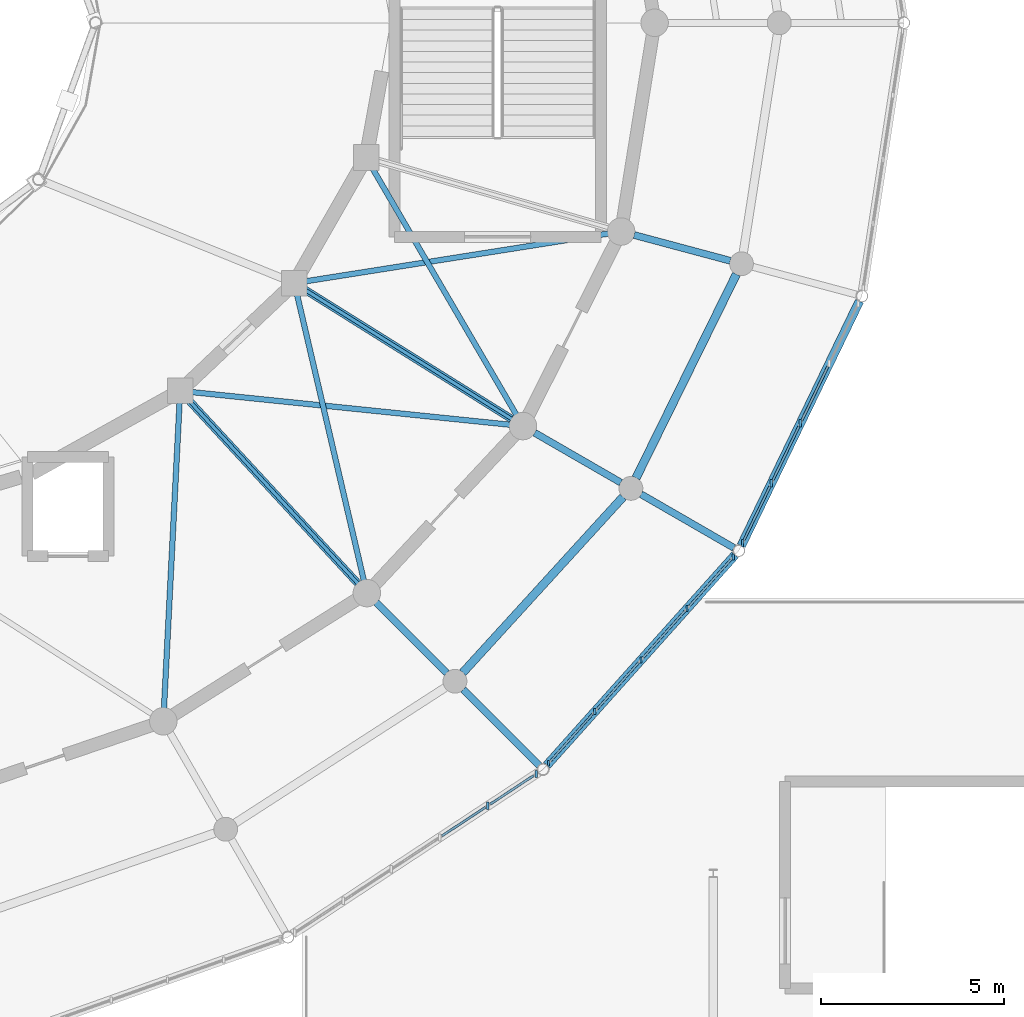
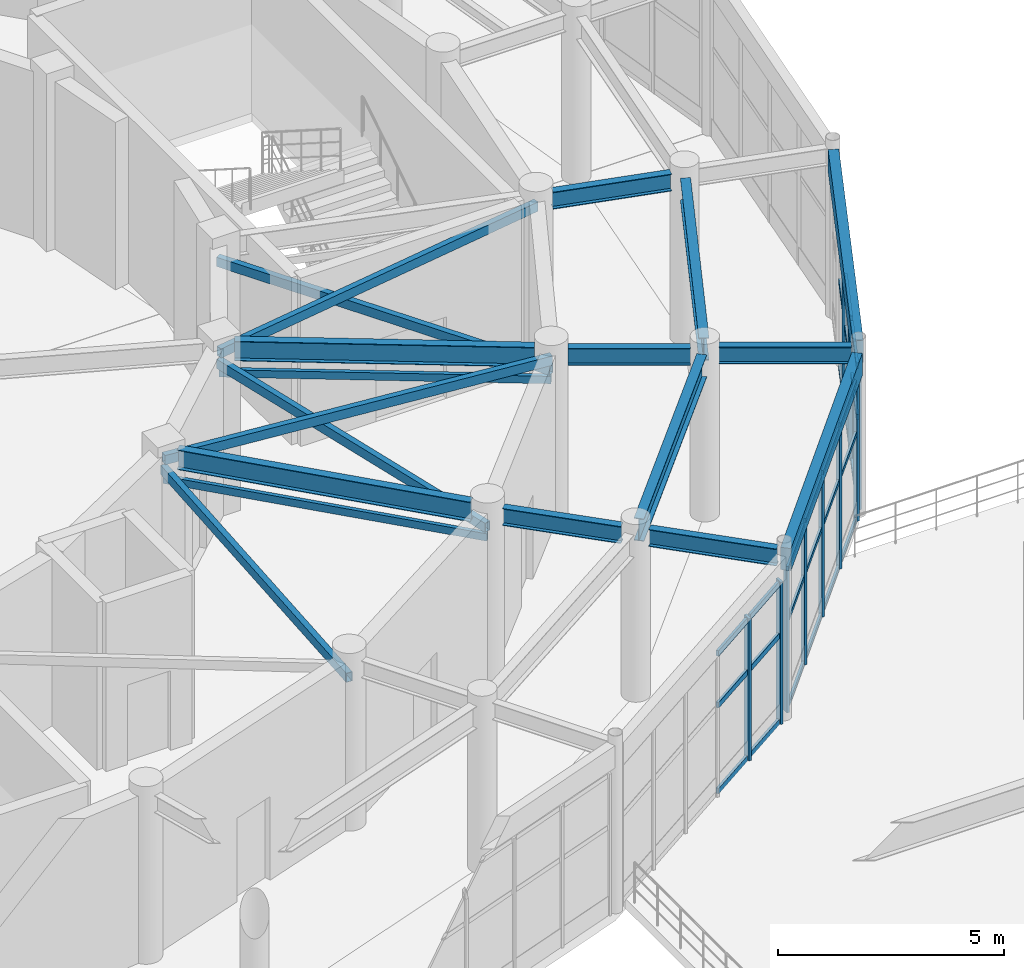
# One storey, part 71 of 144: 43 members, 11 beams, 3 elements without a shape of their own.
"""IFC4 building model written with IfcOpenShell, lengths in metres."""

from ifc_helpers import new_model, si_unit, direction, frame, origin, origin_2d, place, context, subcontext, project, spatial, rectangle, hollow_rectangle, i_section, extrude, material, material_profile, profile_set, type_object, element, aggregate, save


model = new_model("IFC4")

# Units and contexts
model_context = context("Model", 3, precision=1e-05, world=origin(), true_north=direction((0.0, 1.0)))
body_context = subcontext(model_context, "Body", "Model", "MODEL_VIEW")
ifc_project = project(units=[si_unit("LENGTHUNIT", "METRE"), si_unit("AREAUNIT", "SQUARE_METRE"), si_unit("VOLUMEUNIT", "CUBIC_METRE"), si_unit("PLANEANGLEUNIT", "RADIAN"), si_unit("MASSUNIT", "GRAM", prefix="KILO")], contexts=[model_context])

# Site, building, storey
site_placement = place(None, origin())
site = spatial("IfcSite", under=ifc_project, at=site_placement, CompositionType="ELEMENT")
building_placement = place(site_placement, origin())
building = spatial("IfcBuilding", under=site, at=building_placement, Name="Cinderbank Siding Concert Hall", CompositionType="ELEMENT")
storey_placement = place(building_placement, frame((0.0, 0.0, 5.39990234375)))
storey = spatial("IfcBuildingStorey", under=building, at=storey_placement, Name="L02", CompositionType="ELEMENT", Elevation=5.39990234375)

# Beams
ifc_material_1 = material(Name="Structural steel AS/NZS 3679.1 Grade 350 (340 MPa)", Category="steel")
ifc_material_profile_1 = material_profile(ifc_material_1, i_section(OverallWidth=0.19091796875, OverallDepth=0.46044921875, WebThickness=0.010009765625, FlangeThickness=0.01611328125, at=origin_2d()), Name="460UB82.1", Category="LoadBearing")
ifc_profile_set_1 = profile_set([ifc_material_profile_1], Name="Structural steel AS/NZS 3679.1 Grade 350 (340 MPa)")
beam_type_1 = type_object("IfcBeamType", Name="BM-UB460H 460UB82.1", PredefinedType="BEAM", material=ifc_profile_set_1)
beam_1_placement = place(storey_placement, frame((141.2099609375, 28.18408203125, 4.2919921875), z_axis=(0.707151723938, -0.707061835578, 0.0), x_axis=(0.707061835578, 0.707151723938, 0.0)))
element("IfcBeam", 1, at=beam_1_placement, inside=storey, type_object=beam_type_1, Name="L02 Beam BM-UB460H #517", PredefinedType="BEAM", context=body_context, shape_type="SweptSolid", body=[
    extrude(i_section(OverallWidth=0.19091796875, OverallDepth=0.46044921875, WebThickness=0.010009765625, FlangeThickness=0.01611328125, at=origin_2d()), origin(), (0.0, 0.0, 1.0), 2.716064453125),
])
beam_2_placement = place(storey_placement, frame((145.52734375, 32.81640625, 4.2919921875), z_axis=(0.866032896488, -0.499987022033, 0.0), x_axis=(0.499987022033, 0.866032896488, 0.0)))
element("IfcBeam", 2, at=beam_2_placement, inside=storey, type_object=beam_type_1, Name="L02 Beam BM-UB460H #518", PredefinedType="BEAM", context=body_context, shape_type="SweptSolid", body=[
    extrude(i_section(OverallWidth=0.19091796875, OverallDepth=0.46044921875, WebThickness=0.010009765625, FlangeThickness=0.01611328125, at=origin_2d()), origin(), (0.0, 0.0, 1.0), 2.7158203125),
])
beam_3_placement = place(storey_placement, frame((148.2412109375, 38.2109375, 4.2919921875), z_axis=(0.965934410535, -0.258787006135, 0.0), x_axis=(0.258787006135, 0.965934410535, 0.0)))
element("IfcBeam", 3, at=beam_3_placement, inside=storey, type_object=beam_type_1, Name="L02 Beam BM-UB460H #519", PredefinedType="BEAM", context=body_context, shape_type="SweptSolid", body=[
    extrude(i_section(OverallWidth=0.19091796875, OverallDepth=0.46044921875, WebThickness=0.010009765625, FlangeThickness=0.01611328125, at=origin_2d()), origin(), (0.0, 0.0, 1.0), 2.716064453125),
])
beam_4_placement = place(storey_placement, frame((143.578857421875, 25.815185546875, 4.331787109375), z_axis=(0.707106781187, -0.707106781187, 0.0), x_axis=(0.707106781187, 0.707106781187, 0.0)))
element("IfcBeam", 4, at=beam_4_placement, inside=storey, type_object=beam_type_1, Name="L02 Beam BM-UB460H #542", PredefinedType="BEAM", context=body_context, shape_type="SweptSolid", body=[
    extrude(i_section(OverallWidth=0.19091796875, OverallDepth=0.46044921875, WebThickness=0.010009765625, FlangeThickness=0.01611328125, at=origin_2d()), origin(), (0.0, 0.0, 1.0), 2.928955078125),
])
beam_5_placement = place(storey_placement, frame((148.428466796875, 31.1416015625, 4.331787109375), z_axis=(0.866013467834, -0.500020673103, 0.0), x_axis=(0.500020673103, 0.866013467834, 0.0)))
element("IfcBeam", 5, at=beam_5_placement, inside=storey, type_object=beam_type_1, Name="L02 Beam BM-UB460H #543", PredefinedType="BEAM", context=body_context, shape_type="SweptSolid", body=[
    extrude(i_section(OverallWidth=0.19091796875, OverallDepth=0.46044921875, WebThickness=0.010009765625, FlangeThickness=0.01611328125, at=origin_2d()), origin(), (0.0, 0.0, 1.0), 2.92919921875),
])
ifc_material_profile_2 = material_profile(ifc_material_1, i_section(OverallWidth=0.208984375, OverallDepth=0.532958984375, WebThickness=0.01025390625, FlangeThickness=0.015625, at=origin_2d()), Name="530UB92.4", Category="LoadBearing")
ifc_profile_set_2 = profile_set([ifc_material_profile_2], Name="Structural steel AS/NZS 3679.1 Grade 350 (340 MPa)")
beam_type_2 = type_object("IfcBeamType", Name="BM-UB530H 530UB92.4", PredefinedType="BEAM", material=ifc_profile_set_2)
beam_6_placement = place(storey_placement, frame((136.09130859375, 33.707763671875, 4.28564453125), z_axis=(0.67829203735, -0.734792427879, 0.0), x_axis=(0.734792427879, 0.67829203735, 0.0)))
element("IfcBeam", 6, at=beam_6_placement, inside=storey, type_object=beam_type_2, Name="L02 Beam BM-UB530H #494", PredefinedType="BEAM", context=body_context, shape_type="SweptSolid", body=[
    extrude(i_section(OverallWidth=0.208984375, OverallDepth=0.532958984375, WebThickness=0.01025390625, FlangeThickness=0.015625, at=origin_2d()), origin(), (0.0, 0.0, 1.0), 6.797119140625),
])
beam_7_placement = place(storey_placement, frame((139.26416015625, 36.718505859375, 4.28564453125), z_axis=(0.84781868984, -0.530286214376, 0.0), x_axis=(0.530286214376, 0.84781868984, 0.0)))
element("IfcBeam", 7, at=beam_7_placement, inside=storey, type_object=beam_type_2, Name="L02 Beam BM-UB530H #495", PredefinedType="BEAM", context=body_context, shape_type="SweptSolid", body=[
    extrude(i_section(OverallWidth=0.208984375, OverallDepth=0.532958984375, WebThickness=0.01025390625, FlangeThickness=0.015625, at=origin_2d()), origin(), (0.0, 0.0, 1.0), 6.645263671875),
])
ifc_material_profile_3 = material_profile(ifc_material_1, i_section(OverallWidth=0.22802734375, OverallDepth=0.60693359375, WebThickness=0.01123046875, FlangeThickness=0.017333984375, at=origin_2d()), Name="610UB113", Category="LoadBearing")
ifc_profile_set_3 = profile_set([ifc_material_profile_3], Name="Structural steel AS/NZS 3679.1 Grade 350 (340 MPa)")
beam_type_3 = type_object("IfcBeamType", Name="BM-UB610M 610UB113", PredefinedType="BEAM", material=ifc_profile_set_3)
beam_8_placement = place(storey_placement, frame((143.568359375, 26.273681640625, 4.218505859375), z_axis=(0.67395874418, 0.73876898361, 0.0), x_axis=(-0.73876898361, 0.67395874418, 0.0)))
element("IfcBeam", 8, at=beam_8_placement, inside=storey, type_object=beam_type_3, Name="L02 Beam BM-UB610M #461", PredefinedType="BEAM", context=body_context, shape_type="SweptSolid", body=[
    extrude(i_section(OverallWidth=0.22802734375, OverallDepth=0.60693359375, WebThickness=0.01123046875, FlangeThickness=0.017333984375, at=origin_2d()), origin(), (0.0, 0.0, 1.0), 6.48681640625),
])
beam_9_placement = place(storey_placement, frame((148.294189453125, 31.58447265625, 4.218505859375), z_axis=(0.441813843649, 0.897106753714, 0.0), x_axis=(-0.897106753714, 0.441813843649, 0.0)))
element("IfcBeam", 9, at=beam_9_placement, inside=storey, type_object=beam_type_3, Name="L02 Beam BM-UB610M #462", PredefinedType="BEAM", context=body_context, shape_type="SweptSolid", body=[
    extrude(i_section(OverallWidth=0.22802734375, OverallDepth=0.60693359375, WebThickness=0.01123046875, FlangeThickness=0.017333984375, at=origin_2d()), origin(), (0.0, 0.0, 1.0), 6.194580078125),
])

# Curtain wall, members
ifc_material_2 = material(Name="Anodised aluminium alloy 6063-T6", Category="aluminium")
curtain_wall_type_1 = type_object("IfcCurtainWallType", Name="CW-10 Unitised Acoustic Curtain Wall 7200x3500", PredefinedType="NOTDEFINED", material=ifc_material_2)
curtain_wall_1_placement = place(storey_placement, origin())
curtain_wall_1 = element("IfcCurtainWall", 10, at=curtain_wall_1_placement, inside=storey, type_object=curtain_wall_type_1, Name="L02 Curtain Wall CW-10 #22", PredefinedType="NOTDEFINED")
ifc_material_profile_4 = material_profile(ifc_material_2, rectangle(XDim=0.06005859375, YDim=0.159912109375, at=origin_2d()), Name="ALU-MULL-60x160", Category="LoadBearing")
ifc_profile_set_4 = profile_set([ifc_material_profile_4], Name="Anodised aluminium alloy 6063-T6")
member_type_1 = type_object("IfcMemberType", Name="CW-ML1 Mullion 60x160", PredefinedType="MULLION", material=ifc_profile_set_4)
member_1_placement = place(storey_placement, frame((145.91015625, 23.804443359375, 0.0), z_axis=(0.0, 0.0, 1.0), x_axis=(1.0, 0.0, 0.0)))
member_1 = element("IfcMember", 11, at=member_1_placement, type_object=member_type_1, Name="CW-L02-022 Mullion 0", PredefinedType="MULLION", context=body_context, shape_type="SweptSolid", body=[
    extrude(rectangle(XDim=0.06005859375, YDim=0.159912109375, at=origin_2d()), origin(), (0.0, 0.0, 1.0), 3.837158203125),
])
member_2_placement = place(storey_placement, frame((147.16943359375, 25.2109375, 0.0), z_axis=(0.0, 0.0, 1.0), x_axis=(1.0, 0.0, 0.0)))
member_2 = element("IfcMember", 12, at=member_2_placement, type_object=member_type_1, Name="CW-L02-022 Mullion 1", PredefinedType="MULLION", context=body_context, shape_type="SweptSolid", body=[
    extrude(rectangle(XDim=0.06005859375, YDim=0.159912109375, at=origin_2d()), origin(), (0.0, 0.0, 1.0), 3.837158203125),
])
member_3_placement = place(storey_placement, frame((148.4287109375, 26.61767578125, 0.0), z_axis=(0.0, 0.0, 1.0), x_axis=(1.0, 0.0, 0.0)))
member_3 = element("IfcMember", 13, at=member_3_placement, type_object=member_type_1, Name="CW-L02-022 Mullion 2", PredefinedType="MULLION", context=body_context, shape_type="SweptSolid", body=[
    extrude(rectangle(XDim=0.06005859375, YDim=0.159912109375, at=origin_2d()), origin(), (0.0, 0.0, 1.0), 3.837158203125),
])
member_4_placement = place(storey_placement, frame((149.68798828125, 28.0244140625, 0.0), z_axis=(0.0, 0.0, 1.0), x_axis=(1.0, 0.0, 0.0)))
member_4 = element("IfcMember", 14, at=member_4_placement, type_object=member_type_1, Name="CW-L02-022 Mullion 3", PredefinedType="MULLION", context=body_context, shape_type="SweptSolid", body=[
    extrude(rectangle(XDim=0.06005859375, YDim=0.159912109375, at=origin_2d()), origin(), (0.0, 0.0, 1.0), 3.837158203125),
])
member_5_placement = place(storey_placement, frame((150.947021484375, 29.430908203125, 0.0), z_axis=(0.0, 0.0, 1.0), x_axis=(1.0, 0.0, 0.0)))
member_5 = element("IfcMember", 15, at=member_5_placement, type_object=member_type_1, Name="CW-L02-022 Mullion 4", PredefinedType="MULLION", context=body_context, shape_type="SweptSolid", body=[
    extrude(rectangle(XDim=0.06005859375, YDim=0.159912109375, at=origin_2d()), origin(), (0.0, 0.0, 1.0), 3.837158203125),
])

curtain_wall_type_2 = type_object("IfcCurtainWallType", Name="CW-09 Unitised Acoustic Curtain Wall 8000x3500", PredefinedType="NOTDEFINED", material=ifc_material_2)
curtain_wall_2_placement = place(storey_placement, origin())
curtain_wall_2 = element("IfcCurtainWall", 16, at=curtain_wall_2_placement, inside=storey, type_object=curtain_wall_type_2, Name="L02 Curtain Wall CW-09 #21", PredefinedType="NOTDEFINED")
ifc_material_profile_5 = material_profile(ifc_material_2, rectangle(XDim=0.06494140625, YDim=0.199951171875, at=origin_2d()), Name="ALU-MULL-65x200", Category="LoadBearing")
ifc_profile_set_5 = profile_set([ifc_material_profile_5], Name="Anodised aluminium alloy 6063-T6")
member_type_2 = type_object("IfcMemberType", Name="CW-ML2 Mullion 65x200", PredefinedType="MULLION", material=ifc_profile_set_5)
member_6_placement = place(storey_placement, frame((144.25341796875, 22.64501953125, 0.0), z_axis=(0.0, 0.0, 1.0), x_axis=(1.0, 0.0, 0.0)))
member_6 = element("IfcMember", 17, at=member_6_placement, type_object=member_type_2, Name="CW-L02-021 Mullion 4", PredefinedType="MULLION", context=body_context, shape_type="SweptSolid", body=[
    extrude(rectangle(XDim=0.06494140625, YDim=0.199951171875, at=origin_2d()), origin(), (0.0, 0.0, 1.0), 3.837158203125),
])
member_7_placement = place(storey_placement, frame((145.569091796875, 23.510498046875, 0.0), z_axis=(0.0, 0.0, 1.0), x_axis=(1.0, 0.0, 0.0)))
member_7 = element("IfcMember", 18, at=member_7_placement, type_object=member_type_2, Name="CW-L02-021 Mullion 5", PredefinedType="MULLION", context=body_context, shape_type="SweptSolid", body=[
    extrude(rectangle(XDim=0.06494140625, YDim=0.199951171875, at=origin_2d()), origin(), (0.0, 0.0, 1.0), 3.837158203125),
])

curtain_wall_type_3 = type_object("IfcCurtainWallType", Name="CW-11 Unitised Acoustic Curtain Wall 6600x3500", PredefinedType="NOTDEFINED", material=ifc_material_2)
curtain_wall_3_placement = place(storey_placement, origin())
curtain_wall_3 = element("IfcCurtainWall", 19, at=curtain_wall_3_placement, inside=storey, type_object=curtain_wall_type_3, Name="L02 Curtain Wall CW-11 #23", PredefinedType="NOTDEFINED")
member_8_placement = place(storey_placement, frame((151.197265625, 29.80419921875, 0.0), z_axis=(0.0, 0.0, 1.0), x_axis=(1.0, 0.0, 0.0)))
member_8 = element("IfcMember", 20, at=member_8_placement, type_object=member_type_2, Name="CW-L02-023 Mullion 0", PredefinedType="MULLION", context=body_context, shape_type="SweptSolid", body=[
    extrude(rectangle(XDim=0.06494140625, YDim=0.199951171875, at=origin_2d()), origin(), (0.0, 0.0, 1.0), 3.837158203125),
])
member_9_placement = place(storey_placement, frame((151.987060546875, 31.438720703125, 0.0), z_axis=(0.0, 0.0, 1.0), x_axis=(1.0, 0.0, 0.0)))
member_9 = element("IfcMember", 21, at=member_9_placement, type_object=member_type_2, Name="CW-L02-023 Mullion 1", PredefinedType="MULLION", context=body_context, shape_type="SweptSolid", body=[
    extrude(rectangle(XDim=0.06494140625, YDim=0.199951171875, at=origin_2d()), origin(), (0.0, 0.0, 1.0), 3.837158203125),
])
member_10_placement = place(storey_placement, frame((152.77685546875, 33.072998046875, 0.0), z_axis=(0.0, 0.0, 1.0), x_axis=(1.0, 0.0, 0.0)))
member_10 = element("IfcMember", 22, at=member_10_placement, type_object=member_type_2, Name="CW-L02-023 Mullion 2", PredefinedType="MULLION", context=body_context, shape_type="SweptSolid", body=[
    extrude(rectangle(XDim=0.06494140625, YDim=0.199951171875, at=origin_2d()), origin(), (0.0, 0.0, 1.0), 3.837158203125),
])

# Member
ifc_material_profile_6 = material_profile(ifc_material_2, rectangle(XDim=0.06005859375, YDim=0.1201171875, at=origin_2d()), Name="ALU-TRAN-60x120", Category="LoadBearing")
ifc_profile_set_6 = profile_set([ifc_material_profile_6], Name="Anodised aluminium alloy 6063-T6")
member_type_3 = type_object("IfcMemberType", Name="CW-TR1 Transom 60x120", PredefinedType="USERDEFINED", material=ifc_profile_set_6)
member_11_placement = place(storey_placement, frame((145.97314453125, 23.874755859375, 0.06005859375), z_axis=(0.667017441515, 0.745042101304, 0.0), x_axis=(-0.745042101304, 0.667017441515, 0.0)))
member_11 = element("IfcMember", 23, at=member_11_placement, type_object=member_type_3, Name="CW-L02-022 Transom 0-0", ObjectType="TRANSOM", PredefinedType="USERDEFINED", context=body_context, shape_type="SweptSolid", body=[
    extrude(rectangle(XDim=0.06005859375, YDim=0.1201171875, at=origin_2d()), origin(), (0.0, 0.0, 1.0), 1.698974609375),
])

member_12_placement = place(storey_placement, frame((145.97314453125, 23.874755859375, 2.37890625), z_axis=(0.667017441515, 0.745042101304, 0.0), x_axis=(-0.745042101304, 0.667017441515, 0.0)))
member_12 = element("IfcMember", 24, at=member_12_placement, type_object=member_type_3, Name="CW-L02-022 Transom 0-1", ObjectType="TRANSOM", PredefinedType="USERDEFINED", context=body_context, shape_type="SweptSolid", body=[
    extrude(rectangle(XDim=0.06005859375, YDim=0.1201171875, at=origin_2d()), origin(), (0.0, 0.0, 1.0), 1.698974609375),
])

member_13_placement = place(storey_placement, frame((145.97314453125, 23.874755859375, 3.777099609375), z_axis=(0.667017441515, 0.745042101304, 0.0), x_axis=(-0.745042101304, 0.667017441515, 0.0)))
member_13 = element("IfcMember", 25, at=member_13_placement, type_object=member_type_3, Name="CW-L02-022 Transom 0-2", ObjectType="TRANSOM", PredefinedType="USERDEFINED", context=body_context, shape_type="SweptSolid", body=[
    extrude(rectangle(XDim=0.06005859375, YDim=0.1201171875, at=origin_2d()), origin(), (0.0, 0.0, 1.0), 1.698974609375),
])

member_14_placement = place(storey_placement, frame((147.232421875, 25.281494140625, 0.06005859375), z_axis=(0.667017441515, 0.745042101304, 0.0), x_axis=(-0.745042101304, 0.667017441515, 0.0)))
member_14 = element("IfcMember", 26, at=member_14_placement, type_object=member_type_3, Name="CW-L02-022 Transom 1-0", ObjectType="TRANSOM", PredefinedType="USERDEFINED", context=body_context, shape_type="SweptSolid", body=[
    extrude(rectangle(XDim=0.06005859375, YDim=0.1201171875, at=origin_2d()), origin(), (0.0, 0.0, 1.0), 1.698974609375),
])

member_15_placement = place(storey_placement, frame((147.232421875, 25.281494140625, 2.37890625), z_axis=(0.667017441515, 0.745042101304, 0.0), x_axis=(-0.745042101304, 0.667017441515, 0.0)))
member_15 = element("IfcMember", 27, at=member_15_placement, type_object=member_type_3, Name="CW-L02-022 Transom 1-1", ObjectType="TRANSOM", PredefinedType="USERDEFINED", context=body_context, shape_type="SweptSolid", body=[
    extrude(rectangle(XDim=0.06005859375, YDim=0.1201171875, at=origin_2d()), origin(), (0.0, 0.0, 1.0), 1.698974609375),
])

member_16_placement = place(storey_placement, frame((147.232421875, 25.281494140625, 3.777099609375), z_axis=(0.667017441515, 0.745042101304, 0.0), x_axis=(-0.745042101304, 0.667017441515, 0.0)))
member_16 = element("IfcMember", 28, at=member_16_placement, type_object=member_type_3, Name="CW-L02-022 Transom 1-2", ObjectType="TRANSOM", PredefinedType="USERDEFINED", context=body_context, shape_type="SweptSolid", body=[
    extrude(rectangle(XDim=0.06005859375, YDim=0.1201171875, at=origin_2d()), origin(), (0.0, 0.0, 1.0), 1.698974609375),
])

member_17_placement = place(storey_placement, frame((148.49169921875, 26.68798828125, 0.06005859375), z_axis=(0.667017441515, 0.745042101304, 0.0), x_axis=(-0.745042101304, 0.667017441515, 0.0)))
member_17 = element("IfcMember", 29, at=member_17_placement, type_object=member_type_3, Name="CW-L02-022 Transom 2-0", ObjectType="TRANSOM", PredefinedType="USERDEFINED", context=body_context, shape_type="SweptSolid", body=[
    extrude(rectangle(XDim=0.06005859375, YDim=0.1201171875, at=origin_2d()), origin(), (0.0, 0.0, 1.0), 1.698974609375),
])

member_18_placement = place(storey_placement, frame((148.49169921875, 26.68798828125, 2.37890625), z_axis=(0.667017441515, 0.745042101304, 0.0), x_axis=(-0.745042101304, 0.667017441515, 0.0)))
member_18 = element("IfcMember", 30, at=member_18_placement, type_object=member_type_3, Name="CW-L02-022 Transom 2-1", ObjectType="TRANSOM", PredefinedType="USERDEFINED", context=body_context, shape_type="SweptSolid", body=[
    extrude(rectangle(XDim=0.06005859375, YDim=0.1201171875, at=origin_2d()), origin(), (0.0, 0.0, 1.0), 1.698974609375),
])

member_19_placement = place(storey_placement, frame((148.49169921875, 26.68798828125, 3.777099609375), z_axis=(0.667017441515, 0.745042101304, 0.0), x_axis=(-0.745042101304, 0.667017441515, 0.0)))
member_19 = element("IfcMember", 31, at=member_19_placement, type_object=member_type_3, Name="CW-L02-022 Transom 2-2", ObjectType="TRANSOM", PredefinedType="USERDEFINED", context=body_context, shape_type="SweptSolid", body=[
    extrude(rectangle(XDim=0.06005859375, YDim=0.1201171875, at=origin_2d()), origin(), (0.0, 0.0, 1.0), 1.698974609375),
])

member_20_placement = place(storey_placement, frame((149.750732421875, 28.094482421875, 0.06005859375), z_axis=(0.667025792822, 0.745034624504, 0.0), x_axis=(-0.745034624504, 0.667025792822, 0.0)))
member_20 = element("IfcMember", 32, at=member_20_placement, type_object=member_type_3, Name="CW-L02-022 Transom 3-0", ObjectType="TRANSOM", PredefinedType="USERDEFINED", context=body_context, shape_type="SweptSolid", body=[
    extrude(rectangle(XDim=0.06005859375, YDim=0.1201171875, at=origin_2d()), origin(), (0.0, 0.0, 1.0), 1.699462890625),
])

member_21_placement = place(storey_placement, frame((149.750732421875, 28.094482421875, 2.37890625), z_axis=(0.667025792822, 0.745034624504, 0.0), x_axis=(-0.745034624504, 0.667025792822, 0.0)))
member_21 = element("IfcMember", 33, at=member_21_placement, type_object=member_type_3, Name="CW-L02-022 Transom 3-1", ObjectType="TRANSOM", PredefinedType="USERDEFINED", context=body_context, shape_type="SweptSolid", body=[
    extrude(rectangle(XDim=0.06005859375, YDim=0.1201171875, at=origin_2d()), origin(), (0.0, 0.0, 1.0), 1.699462890625),
])

member_22_placement = place(storey_placement, frame((149.750732421875, 28.094482421875, 3.777099609375), z_axis=(0.667025792822, 0.745034624504, 0.0), x_axis=(-0.745034624504, 0.667025792822, 0.0)))
member_22 = element("IfcMember", 34, at=member_22_placement, type_object=member_type_3, Name="CW-L02-022 Transom 3-2", ObjectType="TRANSOM", PredefinedType="USERDEFINED", context=body_context, shape_type="SweptSolid", body=[
    extrude(rectangle(XDim=0.06005859375, YDim=0.1201171875, at=origin_2d()), origin(), (0.0, 0.0, 1.0), 1.699462890625),
])

aggregate(curtain_wall_1, [member_1, member_2, member_3, member_4, member_5, member_11, member_12, member_13, member_14, member_15, member_16, member_17, member_18, member_19, member_20, member_21, member_22])

ifc_material_profile_7 = material_profile(ifc_material_2, rectangle(XDim=0.06494140625, YDim=0.14990234375, at=origin_2d()), Name="ALU-TRAN-65x150", Category="LoadBearing")
ifc_profile_set_7 = profile_set([ifc_material_profile_7], Name="Anodised aluminium alloy 6063-T6")
member_type_4 = type_object("IfcMemberType", Name="CW-TR2 Transom 65x150", PredefinedType="USERDEFINED", material=ifc_profile_set_7)
member_23_placement = place(storey_placement, frame((143.003173828125, 21.822998046875, 0.06005859375), z_axis=(0.835531529407, 0.549442502331, 0.0), x_axis=(-0.549442502331, 0.835531529407, 0.0)))
member_23 = element("IfcMember", 35, at=member_23_placement, type_object=member_type_4, Name="CW-L02-021 Transom 3-0", ObjectType="TRANSOM", PredefinedType="USERDEFINED", context=body_context, shape_type="SweptSolid", body=[
    extrude(rectangle(XDim=0.06494140625, YDim=0.14990234375, at=origin_2d()), origin(), (0.0, 0.0, 1.0), 1.41748046875),
])

member_24_placement = place(storey_placement, frame((143.003173828125, 21.822998046875, 2.37890625), z_axis=(0.835531529407, 0.549442502331, 0.0), x_axis=(-0.549442502331, 0.835531529407, 0.0)))
member_24 = element("IfcMember", 36, at=member_24_placement, type_object=member_type_4, Name="CW-L02-021 Transom 3-1", ObjectType="TRANSOM", PredefinedType="USERDEFINED", context=body_context, shape_type="SweptSolid", body=[
    extrude(rectangle(XDim=0.06494140625, YDim=0.14990234375, at=origin_2d()), origin(), (0.0, 0.0, 1.0), 1.41748046875),
])

member_25_placement = place(storey_placement, frame((143.003173828125, 21.822998046875, 3.777099609375), z_axis=(0.835531529407, 0.549442502331, 0.0), x_axis=(-0.549442502331, 0.835531529407, 0.0)))
member_25 = element("IfcMember", 37, at=member_25_placement, type_object=member_type_4, Name="CW-L02-021 Transom 3-2", ObjectType="TRANSOM", PredefinedType="USERDEFINED", context=body_context, shape_type="SweptSolid", body=[
    extrude(rectangle(XDim=0.06494140625, YDim=0.14990234375, at=origin_2d()), origin(), (0.0, 0.0, 1.0), 1.41748046875),
])

member_26_placement = place(storey_placement, frame((144.319091796875, 22.6884765625, 0.06005859375), z_axis=(0.835531529407, 0.549442502331, 0.0), x_axis=(-0.549442502331, 0.835531529407, 0.0)))
member_26 = element("IfcMember", 38, at=member_26_placement, type_object=member_type_4, Name="CW-L02-021 Transom 4-0", ObjectType="TRANSOM", PredefinedType="USERDEFINED", context=body_context, shape_type="SweptSolid", body=[
    extrude(rectangle(XDim=0.06494140625, YDim=0.14990234375, at=origin_2d()), origin(), (0.0, 0.0, 1.0), 1.41748046875),
])

member_27_placement = place(storey_placement, frame((144.319091796875, 22.6884765625, 2.37890625), z_axis=(0.835531529407, 0.549442502331, 0.0), x_axis=(-0.549442502331, 0.835531529407, 0.0)))
member_27 = element("IfcMember", 39, at=member_27_placement, type_object=member_type_4, Name="CW-L02-021 Transom 4-1", ObjectType="TRANSOM", PredefinedType="USERDEFINED", context=body_context, shape_type="SweptSolid", body=[
    extrude(rectangle(XDim=0.06494140625, YDim=0.14990234375, at=origin_2d()), origin(), (0.0, 0.0, 1.0), 1.41748046875),
])

member_28_placement = place(storey_placement, frame((144.319091796875, 22.6884765625, 3.777099609375), z_axis=(0.835531529407, 0.549442502331, 0.0), x_axis=(-0.549442502331, 0.835531529407, 0.0)))
member_28 = element("IfcMember", 40, at=member_28_placement, type_object=member_type_4, Name="CW-L02-021 Transom 4-2", ObjectType="TRANSOM", PredefinedType="USERDEFINED", context=body_context, shape_type="SweptSolid", body=[
    extrude(rectangle(XDim=0.06494140625, YDim=0.14990234375, at=origin_2d()), origin(), (0.0, 0.0, 1.0), 1.41748046875),
])

aggregate(curtain_wall_2, [member_6, member_7, member_23, member_24, member_25, member_26, member_27, member_28])

member_29_placement = place(storey_placement, frame((151.23681640625, 29.885986328125, 0.06005859375), z_axis=(0.435037415308, 0.900412376238, 0.0), x_axis=(-0.900412376238, 0.435037415308, 0.0)))
member_29 = element("IfcMember", 41, at=member_29_placement, type_object=member_type_4, Name="CW-L02-023 Transom 0-0", ObjectType="TRANSOM", PredefinedType="USERDEFINED", context=body_context, shape_type="SweptSolid", body=[
    extrude(rectangle(XDim=0.06494140625, YDim=0.14990234375, at=origin_2d()), origin(), (0.0, 0.0, 1.0), 1.633544921875),
])

member_30_placement = place(storey_placement, frame((151.23681640625, 29.885986328125, 2.37890625), z_axis=(0.435037415308, 0.900412376238, 0.0), x_axis=(-0.900412376238, 0.435037415308, 0.0)))
member_30 = element("IfcMember", 42, at=member_30_placement, type_object=member_type_4, Name="CW-L02-023 Transom 0-1", ObjectType="TRANSOM", PredefinedType="USERDEFINED", context=body_context, shape_type="SweptSolid", body=[
    extrude(rectangle(XDim=0.06494140625, YDim=0.14990234375, at=origin_2d()), origin(), (0.0, 0.0, 1.0), 1.633544921875),
])

member_31_placement = place(storey_placement, frame((151.23681640625, 29.885986328125, 3.777099609375), z_axis=(0.435037415308, 0.900412376238, 0.0), x_axis=(-0.900412376238, 0.435037415308, 0.0)))
member_31 = element("IfcMember", 43, at=member_31_placement, type_object=member_type_4, Name="CW-L02-023 Transom 0-2", ObjectType="TRANSOM", PredefinedType="USERDEFINED", context=body_context, shape_type="SweptSolid", body=[
    extrude(rectangle(XDim=0.06494140625, YDim=0.14990234375, at=origin_2d()), origin(), (0.0, 0.0, 1.0), 1.633544921875),
])

member_32_placement = place(storey_placement, frame((152.026611328125, 31.5205078125, 0.06005859375), z_axis=(0.435095962233, 0.900384086737, 0.0), x_axis=(-0.900384086737, 0.435095962233, 0.0)))
member_32 = element("IfcMember", 44, at=member_32_placement, type_object=member_type_4, Name="CW-L02-023 Transom 1-0", ObjectType="TRANSOM", PredefinedType="USERDEFINED", context=body_context, shape_type="SweptSolid", body=[
    extrude(rectangle(XDim=0.06494140625, YDim=0.14990234375, at=origin_2d()), origin(), (0.0, 0.0, 1.0), 1.63330078125),
])

member_33_placement = place(storey_placement, frame((152.026611328125, 31.5205078125, 2.37890625), z_axis=(0.435095962233, 0.900384086737, 0.0), x_axis=(-0.900384086737, 0.435095962233, 0.0)))
member_33 = element("IfcMember", 45, at=member_33_placement, type_object=member_type_4, Name="CW-L02-023 Transom 1-1", ObjectType="TRANSOM", PredefinedType="USERDEFINED", context=body_context, shape_type="SweptSolid", body=[
    extrude(rectangle(XDim=0.06494140625, YDim=0.14990234375, at=origin_2d()), origin(), (0.0, 0.0, 1.0), 1.63330078125),
])

member_34_placement = place(storey_placement, frame((152.026611328125, 31.5205078125, 3.777099609375), z_axis=(0.435095962233, 0.900384086737, 0.0), x_axis=(-0.900384086737, 0.435095962233, 0.0)))
member_34 = element("IfcMember", 46, at=member_34_placement, type_object=member_type_4, Name="CW-L02-023 Transom 1-2", ObjectType="TRANSOM", PredefinedType="USERDEFINED", context=body_context, shape_type="SweptSolid", body=[
    extrude(rectangle(XDim=0.06494140625, YDim=0.14990234375, at=origin_2d()), origin(), (0.0, 0.0, 1.0), 1.63330078125),
])

member_35_placement = place(storey_placement, frame((152.81640625, 33.15478515625, 0.06005859375), z_axis=(0.435095962233, 0.900384086737, 0.0), x_axis=(-0.900384086737, 0.435095962233, 0.0)))
member_35 = element("IfcMember", 47, at=member_35_placement, type_object=member_type_4, Name="CW-L02-023 Transom 2-0", ObjectType="TRANSOM", PredefinedType="USERDEFINED", context=body_context, shape_type="SweptSolid", body=[
    extrude(rectangle(XDim=0.06494140625, YDim=0.14990234375, at=origin_2d()), origin(), (0.0, 0.0, 1.0), 1.63330078125),
])

member_36_placement = place(storey_placement, frame((152.81640625, 33.15478515625, 2.37890625), z_axis=(0.435095962233, 0.900384086737, 0.0), x_axis=(-0.900384086737, 0.435095962233, 0.0)))
member_36 = element("IfcMember", 48, at=member_36_placement, type_object=member_type_4, Name="CW-L02-023 Transom 2-1", ObjectType="TRANSOM", PredefinedType="USERDEFINED", context=body_context, shape_type="SweptSolid", body=[
    extrude(rectangle(XDim=0.06494140625, YDim=0.14990234375, at=origin_2d()), origin(), (0.0, 0.0, 1.0), 1.63330078125),
])

aggregate(curtain_wall_3, [member_8, member_9, member_10, member_29, member_30, member_31, member_32, member_33, member_34, member_35, member_36])

# Members
ifc_material_3 = material(Name="Structural steel hollow section AS/NZS 1163 Grade C350L0 (350 MPa)", Category="steel")
ifc_material_profile_8 = material_profile(ifc_material_3, hollow_rectangle(XDim=0.10009765625, YDim=0.199951171875, WallThickness=0.008056640625, at=origin_2d()), Name="200x100x8.0RHS", Category="LoadBearing")
ifc_profile_set_8 = profile_set([ifc_material_profile_8], Name="Structural steel hollow section AS/NZS 1163 Grade C350L0 (350 MPa)")
member_type_5 = type_object("IfcMemberType", Name="PR-RHS200 200x100x8.0RHS Roof Truss", PredefinedType="PURLIN", material=ifc_profile_set_8)
member_37_placement = place(storey_placement, frame((135.859375, 33.958984375, 3.64013671875), z_axis=(0.678276049894, -0.734807185689, 0.0), x_axis=(0.734807185689, 0.678276049894, 0.0)))
element("IfcMember", 49, at=member_37_placement, inside=storey, type_object=member_type_5, Name="L02 Roof Truss Member PR-RHS200 #2235", PredefinedType="PURLIN", context=body_context, shape_type="SweptSolid", body=[
    extrude(hollow_rectangle(XDim=0.10009765625, YDim=0.199951171875, WallThickness=0.008056640625, at=origin_2d()), origin(), (0.0, 0.0, 1.0), 7.505859375),
])
member_38_placement = place(storey_placement, frame((138.97412109375, 36.89990234375, 3.64013671875), z_axis=(0.847826684568, -0.530273432235, 0.0), x_axis=(0.530273432235, 0.847826684568, 0.0)))
element("IfcMember", 50, at=member_38_placement, inside=storey, type_object=member_type_5, Name="L02 Roof Truss Member PR-RHS200 #2238", PredefinedType="PURLIN", context=body_context, shape_type="SweptSolid", body=[
    extrude(hollow_rectangle(XDim=0.10009765625, YDim=0.199951171875, WallThickness=0.008056640625, at=origin_2d()), origin(), (0.0, 0.0, 1.0), 7.3544921875),
])

# Beams
ifc_material_4 = material(Name="Spotted gum glulam timber GL18 (42 MPa)", Category="wood")
ifc_material_profile_9 = material_profile(ifc_material_4, rectangle(XDim=0.239990234375, YDim=0.60009765625, at=origin_2d()), Name="GL18-240x600", Category="LoadBearing")
ifc_profile_set_9 = profile_set([ifc_material_profile_9], Name="Spotted gum glulam timber GL18 (42 MPa)")
beam_type_4 = type_object("IfcBeamType", Name="SP-GL600 GL18-240x600", PredefinedType="SPANDREL", material=ifc_profile_set_9)
beam_10_placement = place(storey_placement, frame((145.861572265625, 23.75, 4.152099609375), z_axis=(0.666985816213, 0.745070413432, 0.0), x_axis=(-0.745070413432, 0.666985816213, 0.0)))
element("IfcBeam", 51, at=beam_10_placement, inside=storey, type_object=beam_type_4, Name="L02 Beam SP-GL600 #483", PredefinedType="SPANDREL", context=body_context, shape_type="SweptSolid", body=[
    extrude(rectangle(XDim=0.239990234375, YDim=0.60009765625, at=origin_2d()), origin(), (0.0, 0.0, 1.0), 7.69775390625),
])
beam_11_placement = place(storey_placement, frame((151.16552734375, 29.738525390625, 4.26220703125), z_axis=(0.435095625105, 0.900384249648, 0.0), x_axis=(-0.900384249648, 0.435095625105, 0.0)))
element("IfcBeam", 52, at=beam_11_placement, inside=storey, type_object=beam_type_4, Name="L02 Beam SP-GL600 #484", PredefinedType="SPANDREL", context=body_context, shape_type="SweptSolid", body=[
    extrude(rectangle(XDim=0.239990234375, YDim=0.60009765625, at=origin_2d()), origin(), (0.0, 0.0, 1.0), 7.40673828125),
])

# Members
ifc_material_profile_10 = material_profile(ifc_material_3, hollow_rectangle(XDim=0.14990234375, YDim=0.25, WallThickness=0.009033203125, at=origin_2d()), Name="250x150x9.0RHS", Category="LoadBearing")
ifc_profile_set_10 = profile_set([ifc_material_profile_10], Name="Structural steel hollow section AS/NZS 1163 Grade C350L0 (350 MPa)")
member_type_6 = type_object("IfcMemberType", Name="TR-RHS250 250x150x9.0RHS Roof Truss", PredefinedType="RAFTER", material=ifc_profile_set_10)
member_39_placement = place(storey_placement, frame((135.859375, 33.958984375, 3.900146484375), z_axis=(-0.050921362661, -0.998702665874, 0.0), x_axis=(0.998702665874, -0.050921362661, 0.0)))
element("IfcMember", 53, at=member_39_placement, inside=storey, type_object=member_type_6, Name="L02 Roof Truss Member TR-RHS250 #2232", PredefinedType="RAFTER", context=body_context, shape_type="SweptSolid", body=[
    extrude(hollow_rectangle(XDim=0.14990234375, YDim=0.25, WallThickness=0.009033203125, at=origin_2d()), origin(), (0.0, 0.0, 1.0), 9.023193359375),
])
member_40_placement = place(storey_placement, frame((135.859375, 33.958984375, 4.18017578125), z_axis=(0.994781438611, -0.102028865499, 0.0), x_axis=(0.102028865499, 0.994781438611, 0.0)))
element("IfcMember", 54, at=member_40_placement, inside=storey, type_object=member_type_6, Name="L02 Roof Truss Member TR-RHS250 #2233", PredefinedType="RAFTER", context=body_context, shape_type="SweptSolid", body=[
    extrude(hollow_rectangle(XDim=0.14990234375, YDim=0.25, WallThickness=0.009033203125, at=origin_2d()), origin(), (0.0, 0.0, 1.0), 9.399169921875),
])
member_41_placement = place(storey_placement, frame((138.97412109375, 36.89990234375, 3.900146484375), z_axis=(0.227577092084, -0.973760066525, 0.0), x_axis=(0.973760066525, 0.227577092084, 0.0)))
element("IfcMember", 55, at=member_41_placement, inside=storey, type_object=member_type_6, Name="L02 Roof Truss Member TR-RHS250 #2234", PredefinedType="RAFTER", context=body_context, shape_type="SweptSolid", body=[
    extrude(hollow_rectangle(XDim=0.14990234375, YDim=0.25, WallThickness=0.009033203125, at=origin_2d()), origin(), (0.0, 0.0, 1.0), 8.68408203125),
])
member_42_placement = place(storey_placement, frame((138.97412109375, 36.89990234375, 4.18017578125), z_axis=(0.987784236991, 0.155827793262, 0.0), x_axis=(-0.155827793262, 0.987784236991, 0.0)))
element("IfcMember", 56, at=member_42_placement, inside=storey, type_object=member_type_6, Name="L02 Roof Truss Member TR-RHS250 #2236", PredefinedType="RAFTER", context=body_context, shape_type="SweptSolid", body=[
    extrude(hollow_rectangle(XDim=0.14990234375, YDim=0.25, WallThickness=0.009033203125, at=origin_2d()), origin(), (0.0, 0.0, 1.0), 9.022705078125),
])
member_43_placement = place(storey_placement, frame((140.93212890625, 40.32470703125, 3.900146484375), z_axis=(0.50427542144, -0.863542876372, 0.0), x_axis=(0.863542876372, 0.50427542144, 0.0)))
element("IfcMember", 57, at=member_43_placement, inside=storey, type_object=member_type_6, Name="L02 Roof Truss Member TR-RHS250 #2237", PredefinedType="RAFTER", context=body_context, shape_type="SweptSolid", body=[
    extrude(hollow_rectangle(XDim=0.14990234375, YDim=0.25, WallThickness=0.009033203125, at=origin_2d()), origin(), (0.0, 0.0, 1.0), 8.482177734375),
])

save(model, "model.ifc")
